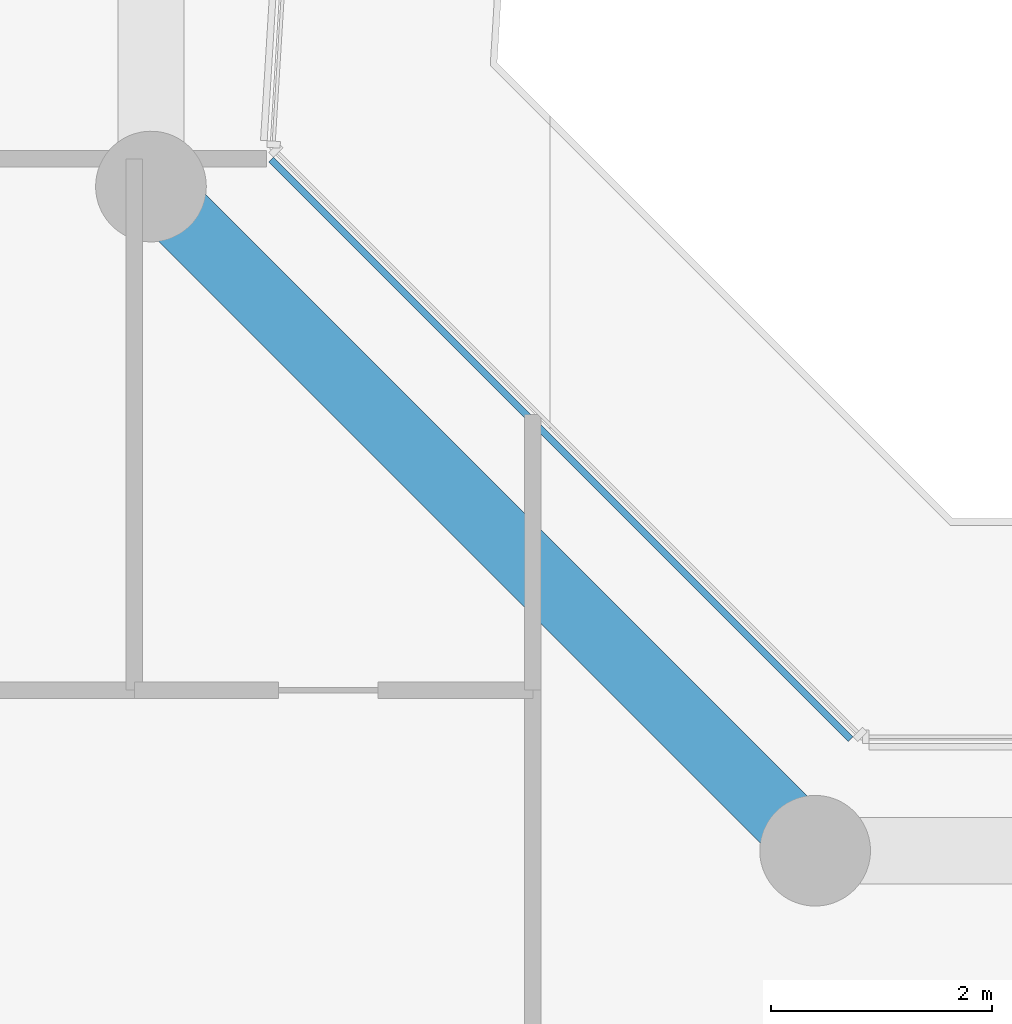
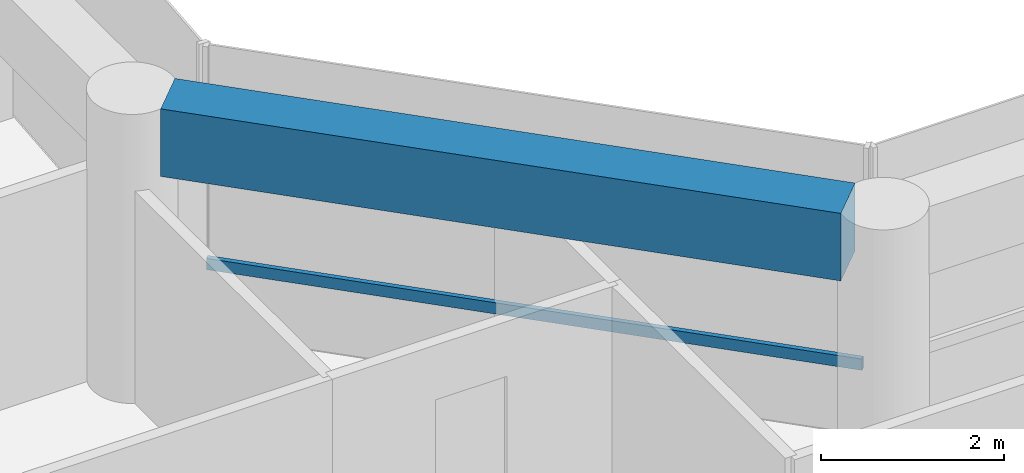
# One storey, part 5 of 24: 1 beam, 1 member, 1 element without a shape of its own.
"""IFC4 building model written with IfcOpenShell, lengths in metres."""

from ifc_helpers import new_model, si_unit, direction, frame, origin, origin_2d, place, context, subcontext, project, spatial, rectangle, extrude, material, layer, layer_set, material_profile, profile_set, type_object, element, aggregate, save


model = new_model("IFC4")

# Units and contexts
model_context = context("Model", 3, precision=1e-05, world=origin(), true_north=direction((0.0, 1.0)))
body_context = subcontext(model_context, "Body", "Model", "MODEL_VIEW")
ifc_project = project(units=[si_unit("LENGTHUNIT", "METRE"), si_unit("AREAUNIT", "SQUARE_METRE"), si_unit("VOLUMEUNIT", "CUBIC_METRE"), si_unit("PLANEANGLEUNIT", "RADIAN"), si_unit("MASSUNIT", "GRAM", prefix="KILO")], contexts=[model_context])

# Site, building, storey
site_placement = place(None, origin())
site = spatial("IfcSite", under=ifc_project, at=site_placement, CompositionType="ELEMENT")
building_placement = place(site_placement, origin())
building = spatial("IfcBuilding", under=site, at=building_placement, Name="Welwitschia Terrace Campus", CompositionType="ELEMENT")
storey_placement = place(building_placement, frame((0.0, 0.0, 125.60009765625)))
storey = spatial("IfcBuildingStorey", under=building, at=storey_placement, Name="L28", CompositionType="ELEMENT", Elevation=125.60009765625)

# Beam
ifc_material_1 = material(Name="Concrete C60/75", Category="concrete")
ifc_material_profile_1 = material_profile(ifc_material_1, rectangle(XDim=0.60009765625, YDim=0.89990234375, at=origin_2d()))
ifc_profile_set_1 = profile_set([ifc_material_profile_1], Name="Concrete C60/75")
beam_type = type_object("IfcBeamType", Name="Ring spandrel 600x900", PredefinedType="SPANDREL", material=ifc_profile_set_1)
beam_placement = place(storey_placement, frame((29.716796875, 28.283203125, 3.39990234375), z_axis=(-0.707106781187, 0.707106781187, 0.0), x_axis=(-0.707106781187, -0.707106781187, 0.0)))
element("IfcBeam", 1, at=beam_placement, inside=storey, type_object=beam_type, Name="Spandrel SP2", PredefinedType="SPANDREL", context=body_context, shape_type="SweptSolid", body=[
    extrude(rectangle(XDim=0.60009765625, YDim=0.89990234375, at=origin_2d()), origin(), (0.0, 0.0, 1.0), 7.684326171875),
])

# Curtain wall, member
ifc_material_2 = material(Name="Bronze anodised aluminium", Category="aluminium")
ifc_layer = layer(ifc_material_2, 0.1201171875)
ifc_layer_set = layer_set([ifc_layer], Name="Bronze anodised aluminium")
curtain_wall_type = type_object("IfcCurtainWallType", Name="Curtain wall CW2 tower 6000", PredefinedType="NOTDEFINED", material=ifc_layer_set)
curtain_wall_placement = place(storey_placement, origin())
curtain_wall = element("IfcCurtainWall", 2, at=curtain_wall_placement, inside=storey, type_object=curtain_wall_type, Name="CW L28.9.0", PredefinedType="NOTDEFINED")
ifc_material_3 = material(Name="Bronze anodised aluminium", Category="aluminium")
ifc_material_profile_2 = material_profile(ifc_material_3, rectangle(XDim=0.06005859375, YDim=0.14990234375, at=origin_2d()))
ifc_profile_set_2 = profile_set([ifc_material_profile_2], Name="Bronze anodised aluminium")
member_type = type_object("IfcMemberType", Name="Transom 60x150", PredefinedType="USERDEFINED", material=ifc_profile_set_2)
member_placement = place(storey_placement, frame((30.320556640625, 29.0087890625, 1.0), z_axis=(-0.707106781187, 0.707106781187, 0.0), x_axis=(-0.707106781187, -0.707106781187, 0.0)))
member = element("IfcMember", 3, at=member_placement, type_object=member_type, Name="Transom L28.9.0", ObjectType="TRANSOM", PredefinedType="USERDEFINED", context=body_context, shape_type="SweptSolid", body=[
    extrude(rectangle(XDim=0.06005859375, YDim=0.14990234375, at=origin_2d()), origin(), (0.0, 0.0, 1.0), 7.404541015625),
])
aggregate(curtain_wall, [member])

save(model, "model.ifc")
